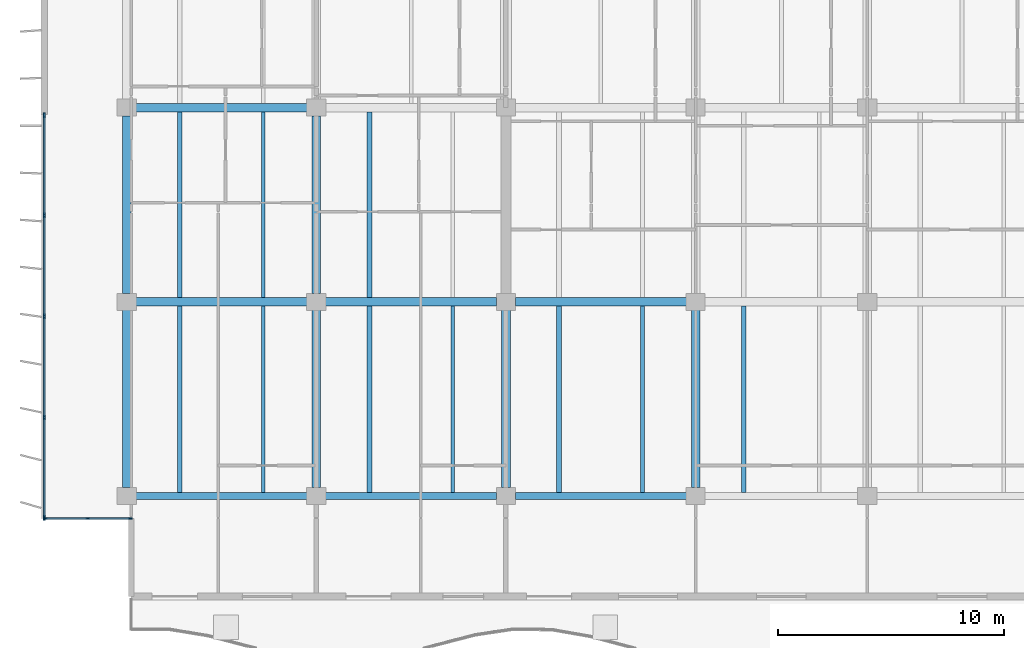
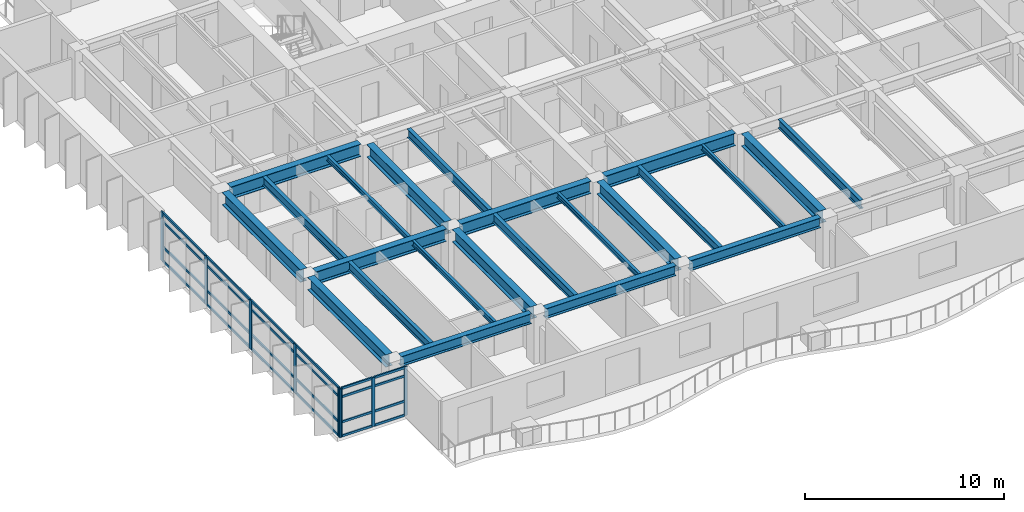
# One storey, part 2 of 18: 32 members, 23 beams, 2 elements without a shape of their own.
"""IFC4 building model written with IfcOpenShell, lengths in metres."""

from ifc_helpers import new_model, si_unit, direction, frame, origin, origin_2d, place, context, subcontext, project, spatial, rectangle, i_section, extrude, material, layer, layer_set, material_profile, profile_set, type_object, element, aggregate, save


model = new_model("IFC4")

# Units and contexts
model_context = context("Model", 3, precision=1e-05, world=origin(), true_north=direction((0.0, 1.0)))
body_context = subcontext(model_context, "Body", "Model", "MODEL_VIEW")
ifc_project = project(units=[si_unit("LENGTHUNIT", "METRE"), si_unit("AREAUNIT", "SQUARE_METRE"), si_unit("VOLUMEUNIT", "CUBIC_METRE"), si_unit("PLANEANGLEUNIT", "RADIAN"), si_unit("MASSUNIT", "GRAM", prefix="KILO")], contexts=[model_context])

# Site, building, storey
site_placement = place(None, origin())
site = spatial("IfcSite", under=ifc_project, at=site_placement, CompositionType="ELEMENT")
building_placement = place(site_placement, origin())
building = spatial("IfcBuilding", under=site, at=building_placement, Name="Caelmar Bay Residences", CompositionType="ELEMENT")
storey_placement = place(building_placement, frame((0.0, 0.0, 180.300048828125)))
storey = spatial("IfcBuildingStorey", under=building, at=storey_placement, Name="L50", CompositionType="ELEMENT", Elevation=180.300048828125)

# Beams
ifc_material_1 = material(Name="Steel ASTM A992 Grade 50", Category="steel")
ifc_material_profile_1 = material_profile(ifc_material_1, i_section(OverallWidth=0.381103515625, OverallDepth=0.77197265625, WebThickness=0.0166015625, FlangeThickness=0.027099609375, FilletRadius=0.0166015625, at=origin_2d()), Name="W30X173")
ifc_profile_set_1 = profile_set([ifc_material_profile_1], Name="Steel ASTM A992 Grade 50")
beam_type_1 = type_object("IfcBeamType", Name="BM-GRD-W30X173", PredefinedType="BEAM", material=ifc_profile_set_1)
beam_1_placement = place(storey_placement, frame((10.31494140625, 20.800048828125, 2.614013671875), z_axis=(1.0, 0.0, 0.0), x_axis=(0.0, 1.0, 0.0)))
element("IfcBeam", 1, at=beam_1_placement, inside=storey, type_object=beam_type_1, Name="L50 East-West Girder Y=20.80 (9.9-18.3)", PredefinedType="BEAM", context=body_context, shape_type="SweptSolid", body=[
    extrude(i_section(OverallWidth=0.381103515625, OverallDepth=0.77197265625, WebThickness=0.0166015625, FlangeThickness=0.027099609375, FilletRadius=0.0166015625, at=origin_2d()), origin(), (0.0, 0.0, 1.0), 7.570068359375),
])
beam_2_placement = place(storey_placement, frame((18.715087890625, 20.800048828125, 2.614013671875), z_axis=(1.0, 0.0, 0.0), x_axis=(0.0, 1.0, 0.0)))
element("IfcBeam", 2, at=beam_2_placement, inside=storey, type_object=beam_type_1, Name="L50 East-West Girder Y=20.80 (18.3-26.7)", PredefinedType="BEAM", context=body_context, shape_type="SweptSolid", body=[
    extrude(i_section(OverallWidth=0.381103515625, OverallDepth=0.77197265625, WebThickness=0.0166015625, FlangeThickness=0.027099609375, FilletRadius=0.0166015625, at=origin_2d()), origin(), (0.0, 0.0, 1.0), 7.56982421875),
])
for number, where, z_axis, x_axis, name in (
    (3, (27.114990234375, 20.800048828125, 2.614013671875), (1.0, 0.0, 0.0), (0.0, 1.0, 0.0), "L50 East-West Girder Y=20.80 (26.7-35.1)"),
    (4, (10.31494140625, 29.39990234375, 2.614013671875), (1.0, 0.0, 0.0), (0.0, 1.0, 0.0), "L50 East-West Girder Y=29.40 (9.9-18.3)"),
):
    element("IfcBeam", number, at=place(storey_placement, frame(where, z_axis=z_axis, x_axis=x_axis)), inside=storey, type_object=beam_type_1, Name=name, PredefinedType="BEAM", context=body_context, shape_type="SweptSolid", body=[
        extrude(i_section(OverallWidth=0.381103515625, OverallDepth=0.77197265625, WebThickness=0.0166015625, FlangeThickness=0.027099609375, FilletRadius=0.0166015625, at=origin_2d()), origin(), (0.0, 0.0, 1.0), 7.570068359375),
    ])
beam_3_placement = place(storey_placement, frame((9.89990234375, 12.56494140625, 2.614013671875), z_axis=(0.0, 1.0, 0.0), x_axis=(-1.0, 0.0, 0.0)))
element("IfcBeam", 5, at=beam_3_placement, inside=storey, type_object=beam_type_1, Name="L50 North-South Girder X=9.90 (12.2-20.8)", PredefinedType="BEAM", context=body_context, shape_type="SweptSolid", body=[
    extrude(i_section(OverallWidth=0.381103515625, OverallDepth=0.77197265625, WebThickness=0.0166015625, FlangeThickness=0.027099609375, FilletRadius=0.0166015625, at=origin_2d()), origin(), (0.0, 0.0, 1.0), 7.8701171875),
])
beam_4_placement = place(storey_placement, frame((9.89990234375, 21.1650390625, 2.614013671875), z_axis=(0.0, 1.0, 0.0), x_axis=(-1.0, 0.0, 0.0)))
element("IfcBeam", 6, at=beam_4_placement, inside=storey, type_object=beam_type_1, Name="L50 North-South Girder X=9.90 (20.8-29.4)", PredefinedType="BEAM", context=body_context, shape_type="SweptSolid", body=[
    extrude(i_section(OverallWidth=0.381103515625, OverallDepth=0.77197265625, WebThickness=0.0166015625, FlangeThickness=0.027099609375, FilletRadius=0.0166015625, at=origin_2d()), origin(), (0.0, 0.0, 1.0), 7.869873046875),
])
beam_5_placement = place(storey_placement, frame((18.300048828125, 12.56494140625, 2.614013671875), z_axis=(0.0, 1.0, 0.0), x_axis=(-1.0, 0.0, 0.0)))
element("IfcBeam", 7, at=beam_5_placement, inside=storey, type_object=beam_type_1, Name="L50 North-South Girder X=18.30 (12.2-20.8)", PredefinedType="BEAM", context=body_context, shape_type="SweptSolid", body=[
    extrude(i_section(OverallWidth=0.381103515625, OverallDepth=0.77197265625, WebThickness=0.0166015625, FlangeThickness=0.027099609375, FilletRadius=0.0166015625, at=origin_2d()), origin(), (0.0, 0.0, 1.0), 7.8701171875),
])
beam_6_placement = place(storey_placement, frame((18.300048828125, 21.1650390625, 2.614013671875), z_axis=(0.0, 1.0, 0.0), x_axis=(-1.0, 0.0, 0.0)))
element("IfcBeam", 8, at=beam_6_placement, inside=storey, type_object=beam_type_1, Name="L50 North-South Girder X=18.30 (20.8-29.4)", PredefinedType="BEAM", context=body_context, shape_type="SweptSolid", body=[
    extrude(i_section(OverallWidth=0.381103515625, OverallDepth=0.77197265625, WebThickness=0.0166015625, FlangeThickness=0.027099609375, FilletRadius=0.0166015625, at=origin_2d()), origin(), (0.0, 0.0, 1.0), 7.869873046875),
])
for number, where, z_axis, x_axis, name in (
    (9, (26.699951171875, 12.56494140625, 2.614013671875), (0.0, 1.0, 0.0), (-1.0, 0.0, 0.0), "L50 North-South Girder X=26.70 (12.2-20.8)"),
    (10, (35.10009765625, 12.56494140625, 2.614013671875), (0.0, 1.0, 0.0), (-1.0, 0.0, 0.0), "L50 North-South Girder X=35.10 (12.2-20.8)"),
):
    element("IfcBeam", number, at=place(storey_placement, frame(where, z_axis=z_axis, x_axis=x_axis)), inside=storey, type_object=beam_type_1, Name=name, PredefinedType="BEAM", context=body_context, shape_type="SweptSolid", body=[
        extrude(i_section(OverallWidth=0.381103515625, OverallDepth=0.77197265625, WebThickness=0.0166015625, FlangeThickness=0.027099609375, FilletRadius=0.0166015625, at=origin_2d()), origin(), (0.0, 0.0, 1.0), 7.8701171875),
    ])
ifc_material_profile_2 = material_profile(ifc_material_1, i_section(OverallWidth=0.1650390625, OverallDepth=0.31005859375, WebThickness=0.005859375, FlangeThickness=0.009765625, FilletRadius=0.007568359375, at=origin_2d()), Name="W12X26")
ifc_profile_set_2 = profile_set([ifc_material_profile_2], Name="Steel ASTM A992 Grade 50")
beam_type_2 = type_object("IfcBeamType", Name="BM-JST-W12X26", PredefinedType="JOIST", material=ifc_profile_set_2)
for number, where, z_axis, x_axis, name in (
    (11, (15.947998046875, 12.362548828125, 2.844970703125), (0.0, 1.0, 0.0), (-1.0, 0.0, 0.0), "L50 Composite Floor Joist 2"),
    (12, (24.347900390625, 12.362548828125, 2.844970703125), (0.0, 1.0, 0.0), (-1.0, 0.0, 0.0), "L50 Composite Floor Joist 4"),
    (13, (32.748046875, 12.362548828125, 2.844970703125), (0.0, 1.0, 0.0), (-1.0, 0.0, 0.0), "L50 Composite Floor Joist 6"),
):
    element("IfcBeam", number, at=place(storey_placement, frame(where, z_axis=z_axis, x_axis=x_axis)), inside=storey, type_object=beam_type_2, Name=name, PredefinedType="JOIST", context=body_context, shape_type="SweptSolid", body=[
        extrude(i_section(OverallWidth=0.1650390625, OverallDepth=0.31005859375, WebThickness=0.005859375, FlangeThickness=0.009765625, FilletRadius=0.007568359375, at=origin_2d()), origin(), (0.0, 0.0, 1.0), 8.2470703125),
    ])
beam_7_placement = place(storey_placement, frame((15.947998046875, 20.990478515625, 2.844970703125), z_axis=(0.0, 1.0, 0.0), x_axis=(-1.0, 0.0, 0.0)))
element("IfcBeam", 14, at=beam_7_placement, inside=storey, type_object=beam_type_2, Name="L50 Composite Floor Joist 16", PredefinedType="JOIST", context=body_context, shape_type="SweptSolid", body=[
    extrude(i_section(OverallWidth=0.1650390625, OverallDepth=0.31005859375, WebThickness=0.005859375, FlangeThickness=0.009765625, FilletRadius=0.007568359375, at=origin_2d()), origin(), (0.0, 0.0, 1.0), 8.218994140625),
])
ifc_material_profile_3 = material_profile(ifc_material_1, i_section(OverallWidth=0.2099609375, OverallDepth=0.535888671875, WebThickness=0.010986328125, FlangeThickness=0.017333984375, FilletRadius=0.0126953125, at=origin_2d()), Name="W21X68")
ifc_profile_set_3 = profile_set([ifc_material_profile_3], Name="Steel ASTM A992 Grade 50")
beam_type_3 = type_object("IfcBeamType", Name="BM-JST-W21X68", PredefinedType="JOIST", material=ifc_profile_set_3)
for number, where, z_axis, x_axis, name in (
    (15, (12.251953125, 12.362548828125, 2.73193359375), (0.0, 1.0, 0.0), (-1.0, 0.0, 0.0), "L50 Composite Floor Joist 1"),
    (16, (20.652099609375, 12.362548828125, 2.73193359375), (0.0, 1.0, 0.0), (-1.0, 0.0, 0.0), "L50 Composite Floor Joist 3"),
    (17, (29.052001953125, 12.362548828125, 2.73193359375), (0.0, 1.0, 0.0), (-1.0, 0.0, 0.0), "L50 Composite Floor Joist 5"),
    (18, (37.22802734375, 12.362548828125, 2.73193359375), (0.0, 1.0, 0.0), (-1.0, 0.0, 0.0), "L50 Composite Floor Joist 7"),
):
    element("IfcBeam", number, at=place(storey_placement, frame(where, z_axis=z_axis, x_axis=x_axis)), inside=storey, type_object=beam_type_3, Name=name, PredefinedType="JOIST", context=body_context, shape_type="SweptSolid", body=[
        extrude(i_section(OverallWidth=0.2099609375, OverallDepth=0.535888671875, WebThickness=0.010986328125, FlangeThickness=0.017333984375, FilletRadius=0.0126953125, at=origin_2d()), origin(), (0.0, 0.0, 1.0), 8.2470703125),
    ])
for number, where, z_axis, x_axis, name in (
    (19, (12.251953125, 20.990478515625, 2.73193359375), (0.0, 1.0, 0.0), (-1.0, 0.0, 0.0), "L50 Composite Floor Joist 15"),
    (20, (20.652099609375, 20.990478515625, 2.73193359375), (0.0, 1.0, 0.0), (-1.0, 0.0, 0.0), "L50 Composite Floor Joist 17"),
):
    element("IfcBeam", number, at=place(storey_placement, frame(where, z_axis=z_axis, x_axis=x_axis)), inside=storey, type_object=beam_type_3, Name=name, PredefinedType="JOIST", context=body_context, shape_type="SweptSolid", body=[
        extrude(i_section(OverallWidth=0.2099609375, OverallDepth=0.535888671875, WebThickness=0.010986328125, FlangeThickness=0.017333984375, FilletRadius=0.0126953125, at=origin_2d()), origin(), (0.0, 0.0, 1.0), 8.218994140625),
    ])
ifc_material_profile_4 = material_profile(ifc_material_1, i_section(OverallWidth=0.324951171875, OverallDepth=0.616943359375, WebThickness=0.013916015625, FlangeThickness=0.021484375, FilletRadius=0.0126953125, at=origin_2d()), Name="W24X117")
ifc_profile_set_4 = profile_set([ifc_material_profile_4], Name="Steel ASTM A992 Grade 50")
beam_type_4 = type_object("IfcBeamType", Name="BM-SPN-W24X117", PredefinedType="SPANDREL", material=ifc_profile_set_4)
beam_8_placement = place(storey_placement, frame((10.31494140625, 12.199951171875, 2.69140625), z_axis=(1.0, 0.0, 0.0), x_axis=(0.0, 1.0, 0.0)))
element("IfcBeam", 21, at=beam_8_placement, inside=storey, type_object=beam_type_4, Name="L50 East-West Girder Y=12.20 (9.9-18.3)", PredefinedType="SPANDREL", context=body_context, shape_type="SweptSolid", body=[
    extrude(i_section(OverallWidth=0.324951171875, OverallDepth=0.616943359375, WebThickness=0.013916015625, FlangeThickness=0.021484375, FilletRadius=0.0126953125, at=origin_2d()), origin(), (0.0, 0.0, 1.0), 7.570068359375),
])
beam_9_placement = place(storey_placement, frame((18.715087890625, 12.199951171875, 2.69140625), z_axis=(1.0, 0.0, 0.0), x_axis=(0.0, 1.0, 0.0)))
element("IfcBeam", 22, at=beam_9_placement, inside=storey, type_object=beam_type_4, Name="L50 East-West Girder Y=12.20 (18.3-26.7)", PredefinedType="SPANDREL", context=body_context, shape_type="SweptSolid", body=[
    extrude(i_section(OverallWidth=0.324951171875, OverallDepth=0.616943359375, WebThickness=0.013916015625, FlangeThickness=0.021484375, FilletRadius=0.0126953125, at=origin_2d()), origin(), (0.0, 0.0, 1.0), 7.56982421875),
])
beam_10_placement = place(storey_placement, frame((27.114990234375, 12.199951171875, 2.69140625), z_axis=(1.0, 0.0, 0.0), x_axis=(0.0, 1.0, 0.0)))
element("IfcBeam", 23, at=beam_10_placement, inside=storey, type_object=beam_type_4, Name="L50 East-West Girder Y=12.20 (26.7-35.1)", PredefinedType="SPANDREL", context=body_context, shape_type="SweptSolid", body=[
    extrude(i_section(OverallWidth=0.324951171875, OverallDepth=0.616943359375, WebThickness=0.013916015625, FlangeThickness=0.021484375, FilletRadius=0.0126953125, at=origin_2d()), origin(), (0.0, 0.0, 1.0), 7.570068359375),
])

# Curtain wall, members
ifc_material_2 = material(Name="Anodised bronze aluminium 6063-T6 and laminated glass", Category="aluminium")
ifc_layer_1 = layer(ifc_material_2, 0.179931640625)
ifc_layer_set_1 = layer_set([ifc_layer_1], Name="Anodised bronze aluminium 6063-T6 and laminated glass")
curtain_wall_type_1 = type_object("IfcCurtainWallType", Name="CW6-NTC", PredefinedType="NOTDEFINED", material=ifc_layer_set_1)
curtain_wall_1_placement = place(storey_placement, origin())
curtain_wall_1 = element("IfcCurtainWall", 24, at=curtain_wall_1_placement, inside=storey, type_object=curtain_wall_type_1, Name="CW6 curtain wall L50", PredefinedType="NOTDEFINED")
ifc_material_3 = material(Name="Anodised bronze aluminium 6063-T6", Category="aluminium")
ifc_material_profile_5 = material_profile(ifc_material_3, rectangle(XDim=0.080078125, YDim=0.179931640625, at=origin_2d()), Name="CWM-80X180")
ifc_profile_set_5 = profile_set([ifc_material_profile_5], Name="Anodised bronze aluminium 6063-T6")
member_type_1 = type_object("IfcMemberType", Name="CWM-180", PredefinedType="MULLION", material=ifc_profile_set_5)
member_1_placement = place(storey_placement, frame((6.2900390625, 11.199951171875, 0.0), z_axis=(0.0, 0.0, 1.0), x_axis=(0.0, 1.0, 0.0)))
member_1 = element("IfcMember", 25, at=member_1_placement, type_object=member_type_1, Name="CW6 mullion 1", PredefinedType="MULLION", context=body_context, shape_type="SweptSolid", body=[
    extrude(rectangle(XDim=0.080078125, YDim=0.179931640625, at=origin_2d()), origin(), (0.0, 0.0, 1.0), 3.0),
])
member_2_placement = place(storey_placement, frame((8.175048828125, 11.199951171875, 0.0), z_axis=(0.0, 0.0, 1.0), x_axis=(0.0, 1.0, 0.0)))
member_2 = element("IfcMember", 26, at=member_2_placement, type_object=member_type_1, Name="CW6 mullion 2", PredefinedType="MULLION", context=body_context, shape_type="SweptSolid", body=[
    extrude(rectangle(XDim=0.080078125, YDim=0.179931640625, at=origin_2d()), origin(), (0.0, 0.0, 1.0), 3.0),
])
member_3_placement = place(storey_placement, frame((10.06005859375, 11.199951171875, 0.0), z_axis=(0.0, 0.0, 1.0), x_axis=(0.0, 1.0, 0.0)))
member_3 = element("IfcMember", 27, at=member_3_placement, type_object=member_type_1, Name="CW6 mullion 3", PredefinedType="MULLION", context=body_context, shape_type="SweptSolid", body=[
    extrude(rectangle(XDim=0.080078125, YDim=0.179931640625, at=origin_2d()), origin(), (0.0, 0.0, 1.0), 3.0),
])

ifc_layer_2 = layer(ifc_material_2, 0.179931640625)
ifc_layer_set_2 = layer_set([ifc_layer_2], Name="Anodised bronze aluminium 6063-T6 and laminated glass")
curtain_wall_type_2 = type_object("IfcCurtainWallType", Name="CW4-Z3", PredefinedType="NOTDEFINED", material=ifc_layer_set_2)
curtain_wall_2_placement = place(storey_placement, origin())
curtain_wall_2 = element("IfcCurtainWall", 28, at=curtain_wall_2_placement, inside=storey, type_object=curtain_wall_type_2, Name="CW4 curtain wall L50", PredefinedType="NOTDEFINED")
ifc_material_profile_6 = material_profile(ifc_material_3, rectangle(XDim=0.080078125, YDim=0.219970703125, at=origin_2d()), Name="CWM-80X220")
ifc_profile_set_6 = profile_set([ifc_material_profile_6], Name="Anodised bronze aluminium 6063-T6")
member_type_2 = type_object("IfcMemberType", Name="CWM-220", PredefinedType="MULLION", material=ifc_profile_set_6)
member_4_placement = place(storey_placement, frame((6.25, 11.239990234375, 0.0), z_axis=(0.0, 0.0, 1.0), x_axis=(-1.0, 0.0, 0.0)))
member_4 = element("IfcMember", 29, at=member_4_placement, type_object=member_type_2, Name="CW4 mullion 1", PredefinedType="MULLION", context=body_context, shape_type="SweptSolid", body=[
    extrude(rectangle(XDim=0.080078125, YDim=0.219970703125, at=origin_2d()), origin(), (0.0, 0.0, 1.0), 3.0),
])
member_5_placement = place(storey_placement, frame((6.25, 15.675048828125, 0.0), z_axis=(0.0, 0.0, 1.0), x_axis=(-1.0, 0.0, 0.0)))
member_5 = element("IfcMember", 30, at=member_5_placement, type_object=member_type_2, Name="CW4 mullion 2", PredefinedType="MULLION", context=body_context, shape_type="SweptSolid", body=[
    extrude(rectangle(XDim=0.080078125, YDim=0.219970703125, at=origin_2d()), origin(), (0.0, 0.0, 1.0), 3.0),
])
member_6_placement = place(storey_placement, frame((6.25, 20.14990234375, 0.0), z_axis=(0.0, 0.0, 1.0), x_axis=(-1.0, 0.0, 0.0)))
member_6 = element("IfcMember", 31, at=member_6_placement, type_object=member_type_2, Name="CW4 mullion 3", PredefinedType="MULLION", context=body_context, shape_type="SweptSolid", body=[
    extrude(rectangle(XDim=0.080078125, YDim=0.219970703125, at=origin_2d()), origin(), (0.0, 0.0, 1.0), 3.0),
])
member_7_placement = place(storey_placement, frame((6.25, 24.625, 0.0), z_axis=(0.0, 0.0, 1.0), x_axis=(-1.0, 0.0, 0.0)))
member_7 = element("IfcMember", 32, at=member_7_placement, type_object=member_type_2, Name="CW4 mullion 4", PredefinedType="MULLION", context=body_context, shape_type="SweptSolid", body=[
    extrude(rectangle(XDim=0.080078125, YDim=0.219970703125, at=origin_2d()), origin(), (0.0, 0.0, 1.0), 3.0),
])
member_8_placement = place(storey_placement, frame((6.25, 29.06005859375, 0.0), z_axis=(0.0, 0.0, 1.0), x_axis=(-1.0, 0.0, 0.0)))
member_8 = element("IfcMember", 33, at=member_8_placement, type_object=member_type_2, Name="CW4 mullion 5", PredefinedType="MULLION", context=body_context, shape_type="SweptSolid", body=[
    extrude(rectangle(XDim=0.080078125, YDim=0.219970703125, at=origin_2d()), origin(), (0.0, 0.0, 1.0), 3.0),
])

# Member
ifc_material_profile_7 = material_profile(ifc_material_3, rectangle(XDim=0.080078125, YDim=0.139892578125, at=origin_2d()), Name="CWT-80X140")
ifc_profile_set_7 = profile_set([ifc_material_profile_7], Name="Anodised bronze aluminium 6063-T6")
member_type_3 = type_object("IfcMemberType", Name="CWT-140", PredefinedType="NOTDEFINED", material=ifc_profile_set_7)
member_9_placement = place(storey_placement, frame((6.330078125, 11.199951171875, 0.0400390625), z_axis=(1.0, 0.0, 0.0), x_axis=(0.0, 1.0, 0.0)))
member_9 = element("IfcMember", 34, at=member_9_placement, type_object=member_type_3, Name="CW6 transom 1.1", ObjectType="TRANSOM", PredefinedType="USERDEFINED", context=body_context, shape_type="SweptSolid", body=[
    extrude(rectangle(XDim=0.080078125, YDim=0.139892578125, at=origin_2d()), origin(), (0.0, 0.0, 1.0), 1.804931640625),
])

member_10_placement = place(storey_placement, frame((6.330078125, 11.199951171875, 0.89990234375), z_axis=(1.0, 0.0, 0.0), x_axis=(0.0, 1.0, 0.0)))
member_10 = element("IfcMember", 35, at=member_10_placement, type_object=member_type_3, Name="CW6 transom 1.2", ObjectType="TRANSOM", PredefinedType="USERDEFINED", context=body_context, shape_type="SweptSolid", body=[
    extrude(rectangle(XDim=0.080078125, YDim=0.139892578125, at=origin_2d()), origin(), (0.0, 0.0, 1.0), 1.804931640625),
])

member_11_placement = place(storey_placement, frame((6.330078125, 11.199951171875, 2.449951171875), z_axis=(1.0, 0.0, 0.0), x_axis=(0.0, 1.0, 0.0)))
member_11 = element("IfcMember", 36, at=member_11_placement, type_object=member_type_3, Name="CW6 transom 1.3", ObjectType="TRANSOM", PredefinedType="USERDEFINED", context=body_context, shape_type="SweptSolid", body=[
    extrude(rectangle(XDim=0.080078125, YDim=0.139892578125, at=origin_2d()), origin(), (0.0, 0.0, 1.0), 1.804931640625),
])

member_12_placement = place(storey_placement, frame((6.330078125, 11.199951171875, 2.9599609375), z_axis=(1.0, 0.0, 0.0), x_axis=(0.0, 1.0, 0.0)))
member_12 = element("IfcMember", 37, at=member_12_placement, type_object=member_type_3, Name="CW6 transom 1.4", ObjectType="TRANSOM", PredefinedType="USERDEFINED", context=body_context, shape_type="SweptSolid", body=[
    extrude(rectangle(XDim=0.080078125, YDim=0.139892578125, at=origin_2d()), origin(), (0.0, 0.0, 1.0), 1.804931640625),
])

member_13_placement = place(storey_placement, frame((8.215087890625, 11.199951171875, 0.0400390625), z_axis=(1.0, 0.0, 0.0), x_axis=(0.0, 1.0, 0.0)))
member_13 = element("IfcMember", 38, at=member_13_placement, type_object=member_type_3, Name="CW6 transom 2.1", ObjectType="TRANSOM", PredefinedType="USERDEFINED", context=body_context, shape_type="SweptSolid", body=[
    extrude(rectangle(XDim=0.080078125, YDim=0.139892578125, at=origin_2d()), origin(), (0.0, 0.0, 1.0), 1.804931640625),
])

member_14_placement = place(storey_placement, frame((8.215087890625, 11.199951171875, 0.89990234375), z_axis=(1.0, 0.0, 0.0), x_axis=(0.0, 1.0, 0.0)))
member_14 = element("IfcMember", 39, at=member_14_placement, type_object=member_type_3, Name="CW6 transom 2.2", ObjectType="TRANSOM", PredefinedType="USERDEFINED", context=body_context, shape_type="SweptSolid", body=[
    extrude(rectangle(XDim=0.080078125, YDim=0.139892578125, at=origin_2d()), origin(), (0.0, 0.0, 1.0), 1.804931640625),
])

member_15_placement = place(storey_placement, frame((8.215087890625, 11.199951171875, 2.449951171875), z_axis=(1.0, 0.0, 0.0), x_axis=(0.0, 1.0, 0.0)))
member_15 = element("IfcMember", 40, at=member_15_placement, type_object=member_type_3, Name="CW6 transom 2.3", ObjectType="TRANSOM", PredefinedType="USERDEFINED", context=body_context, shape_type="SweptSolid", body=[
    extrude(rectangle(XDim=0.080078125, YDim=0.139892578125, at=origin_2d()), origin(), (0.0, 0.0, 1.0), 1.804931640625),
])

member_16_placement = place(storey_placement, frame((8.215087890625, 11.199951171875, 2.9599609375), z_axis=(1.0, 0.0, 0.0), x_axis=(0.0, 1.0, 0.0)))
member_16 = element("IfcMember", 41, at=member_16_placement, type_object=member_type_3, Name="CW6 transom 2.4", ObjectType="TRANSOM", PredefinedType="USERDEFINED", context=body_context, shape_type="SweptSolid", body=[
    extrude(rectangle(XDim=0.080078125, YDim=0.139892578125, at=origin_2d()), origin(), (0.0, 0.0, 1.0), 1.804931640625),
])

aggregate(curtain_wall_1, [member_1, member_2, member_3, member_9, member_10, member_11, member_12, member_13, member_14, member_15, member_16])

member_17_placement = place(storey_placement, frame((6.25, 11.280029296875, 0.0400390625), z_axis=(0.0, 1.0, 0.0), x_axis=(-1.0, 0.0, 0.0)))
member_17 = element("IfcMember", 42, at=member_17_placement, type_object=member_type_3, Name="CW4 transom 1.1", ObjectType="TRANSOM", PredefinedType="USERDEFINED", context=body_context, shape_type="SweptSolid", body=[
    extrude(rectangle(XDim=0.080078125, YDim=0.139892578125, at=origin_2d()), origin(), (0.0, 0.0, 1.0), 4.35498046875),
])

member_18_placement = place(storey_placement, frame((6.25, 11.280029296875, 0.89990234375), z_axis=(0.0, 1.0, 0.0), x_axis=(-1.0, 0.0, 0.0)))
member_18 = element("IfcMember", 43, at=member_18_placement, type_object=member_type_3, Name="CW4 transom 1.2", ObjectType="TRANSOM", PredefinedType="USERDEFINED", context=body_context, shape_type="SweptSolid", body=[
    extrude(rectangle(XDim=0.080078125, YDim=0.139892578125, at=origin_2d()), origin(), (0.0, 0.0, 1.0), 4.35498046875),
])

member_19_placement = place(storey_placement, frame((6.25, 11.280029296875, 2.449951171875), z_axis=(0.0, 1.0, 0.0), x_axis=(-1.0, 0.0, 0.0)))
member_19 = element("IfcMember", 44, at=member_19_placement, type_object=member_type_3, Name="CW4 transom 1.3", ObjectType="TRANSOM", PredefinedType="USERDEFINED", context=body_context, shape_type="SweptSolid", body=[
    extrude(rectangle(XDim=0.080078125, YDim=0.139892578125, at=origin_2d()), origin(), (0.0, 0.0, 1.0), 4.35498046875),
])

member_20_placement = place(storey_placement, frame((6.25, 11.280029296875, 2.9599609375), z_axis=(0.0, 1.0, 0.0), x_axis=(-1.0, 0.0, 0.0)))
member_20 = element("IfcMember", 45, at=member_20_placement, type_object=member_type_3, Name="CW4 transom 1.4", ObjectType="TRANSOM", PredefinedType="USERDEFINED", context=body_context, shape_type="SweptSolid", body=[
    extrude(rectangle(XDim=0.080078125, YDim=0.139892578125, at=origin_2d()), origin(), (0.0, 0.0, 1.0), 4.35498046875),
])

member_21_placement = place(storey_placement, frame((6.25, 15.715087890625, 0.0400390625), z_axis=(0.0, 1.0, 0.0), x_axis=(-1.0, 0.0, 0.0)))
member_21 = element("IfcMember", 46, at=member_21_placement, type_object=member_type_3, Name="CW4 transom 2.1", ObjectType="TRANSOM", PredefinedType="USERDEFINED", context=body_context, shape_type="SweptSolid", body=[
    extrude(rectangle(XDim=0.080078125, YDim=0.139892578125, at=origin_2d()), origin(), (0.0, 0.0, 1.0), 4.39501953125),
])

member_22_placement = place(storey_placement, frame((6.25, 15.715087890625, 0.89990234375), z_axis=(0.0, 1.0, 0.0), x_axis=(-1.0, 0.0, 0.0)))
member_22 = element("IfcMember", 47, at=member_22_placement, type_object=member_type_3, Name="CW4 transom 2.2", ObjectType="TRANSOM", PredefinedType="USERDEFINED", context=body_context, shape_type="SweptSolid", body=[
    extrude(rectangle(XDim=0.080078125, YDim=0.139892578125, at=origin_2d()), origin(), (0.0, 0.0, 1.0), 4.39501953125),
])

member_23_placement = place(storey_placement, frame((6.25, 15.715087890625, 2.449951171875), z_axis=(0.0, 1.0, 0.0), x_axis=(-1.0, 0.0, 0.0)))
member_23 = element("IfcMember", 48, at=member_23_placement, type_object=member_type_3, Name="CW4 transom 2.3", ObjectType="TRANSOM", PredefinedType="USERDEFINED", context=body_context, shape_type="SweptSolid", body=[
    extrude(rectangle(XDim=0.080078125, YDim=0.139892578125, at=origin_2d()), origin(), (0.0, 0.0, 1.0), 4.39501953125),
])

member_24_placement = place(storey_placement, frame((6.25, 15.715087890625, 2.9599609375), z_axis=(0.0, 1.0, 0.0), x_axis=(-1.0, 0.0, 0.0)))
member_24 = element("IfcMember", 49, at=member_24_placement, type_object=member_type_3, Name="CW4 transom 2.4", ObjectType="TRANSOM", PredefinedType="USERDEFINED", context=body_context, shape_type="SweptSolid", body=[
    extrude(rectangle(XDim=0.080078125, YDim=0.139892578125, at=origin_2d()), origin(), (0.0, 0.0, 1.0), 4.39501953125),
])

member_25_placement = place(storey_placement, frame((6.25, 20.18994140625, 0.0400390625), z_axis=(0.0, 1.0, 0.0), x_axis=(-1.0, 0.0, 0.0)))
member_25 = element("IfcMember", 50, at=member_25_placement, type_object=member_type_3, Name="CW4 transom 3.1", ObjectType="TRANSOM", PredefinedType="USERDEFINED", context=body_context, shape_type="SweptSolid", body=[
    extrude(rectangle(XDim=0.080078125, YDim=0.139892578125, at=origin_2d()), origin(), (0.0, 0.0, 1.0), 4.39501953125),
])

member_26_placement = place(storey_placement, frame((6.25, 20.18994140625, 0.89990234375), z_axis=(0.0, 1.0, 0.0), x_axis=(-1.0, 0.0, 0.0)))
member_26 = element("IfcMember", 51, at=member_26_placement, type_object=member_type_3, Name="CW4 transom 3.2", ObjectType="TRANSOM", PredefinedType="USERDEFINED", context=body_context, shape_type="SweptSolid", body=[
    extrude(rectangle(XDim=0.080078125, YDim=0.139892578125, at=origin_2d()), origin(), (0.0, 0.0, 1.0), 4.39501953125),
])

member_27_placement = place(storey_placement, frame((6.25, 20.18994140625, 2.449951171875), z_axis=(0.0, 1.0, 0.0), x_axis=(-1.0, 0.0, 0.0)))
member_27 = element("IfcMember", 52, at=member_27_placement, type_object=member_type_3, Name="CW4 transom 3.3", ObjectType="TRANSOM", PredefinedType="USERDEFINED", context=body_context, shape_type="SweptSolid", body=[
    extrude(rectangle(XDim=0.080078125, YDim=0.139892578125, at=origin_2d()), origin(), (0.0, 0.0, 1.0), 4.39501953125),
])

member_28_placement = place(storey_placement, frame((6.25, 20.18994140625, 2.9599609375), z_axis=(0.0, 1.0, 0.0), x_axis=(-1.0, 0.0, 0.0)))
member_28 = element("IfcMember", 53, at=member_28_placement, type_object=member_type_3, Name="CW4 transom 3.4", ObjectType="TRANSOM", PredefinedType="USERDEFINED", context=body_context, shape_type="SweptSolid", body=[
    extrude(rectangle(XDim=0.080078125, YDim=0.139892578125, at=origin_2d()), origin(), (0.0, 0.0, 1.0), 4.39501953125),
])

member_29_placement = place(storey_placement, frame((6.25, 24.6650390625, 0.0400390625), z_axis=(0.0, 1.0, 0.0), x_axis=(-1.0, 0.0, 0.0)))
member_29 = element("IfcMember", 54, at=member_29_placement, type_object=member_type_3, Name="CW4 transom 4.1", ObjectType="TRANSOM", PredefinedType="USERDEFINED", context=body_context, shape_type="SweptSolid", body=[
    extrude(rectangle(XDim=0.080078125, YDim=0.139892578125, at=origin_2d()), origin(), (0.0, 0.0, 1.0), 4.35498046875),
])

member_30_placement = place(storey_placement, frame((6.25, 24.6650390625, 0.89990234375), z_axis=(0.0, 1.0, 0.0), x_axis=(-1.0, 0.0, 0.0)))
member_30 = element("IfcMember", 55, at=member_30_placement, type_object=member_type_3, Name="CW4 transom 4.2", ObjectType="TRANSOM", PredefinedType="USERDEFINED", context=body_context, shape_type="SweptSolid", body=[
    extrude(rectangle(XDim=0.080078125, YDim=0.139892578125, at=origin_2d()), origin(), (0.0, 0.0, 1.0), 4.35498046875),
])

member_31_placement = place(storey_placement, frame((6.25, 24.6650390625, 2.449951171875), z_axis=(0.0, 1.0, 0.0), x_axis=(-1.0, 0.0, 0.0)))
member_31 = element("IfcMember", 56, at=member_31_placement, type_object=member_type_3, Name="CW4 transom 4.3", ObjectType="TRANSOM", PredefinedType="USERDEFINED", context=body_context, shape_type="SweptSolid", body=[
    extrude(rectangle(XDim=0.080078125, YDim=0.139892578125, at=origin_2d()), origin(), (0.0, 0.0, 1.0), 4.35498046875),
])

member_32_placement = place(storey_placement, frame((6.25, 24.6650390625, 2.9599609375), z_axis=(0.0, 1.0, 0.0), x_axis=(-1.0, 0.0, 0.0)))
member_32 = element("IfcMember", 57, at=member_32_placement, type_object=member_type_3, Name="CW4 transom 4.4", ObjectType="TRANSOM", PredefinedType="USERDEFINED", context=body_context, shape_type="SweptSolid", body=[
    extrude(rectangle(XDim=0.080078125, YDim=0.139892578125, at=origin_2d()), origin(), (0.0, 0.0, 1.0), 4.35498046875),
])

aggregate(curtain_wall_2, [member_4, member_5, member_6, member_7, member_8, member_17, member_18, member_19, member_20, member_21, member_22, member_23, member_24, member_25, member_26, member_27, member_28, member_29, member_30, member_31, member_32])

save(model, "model.ifc")
